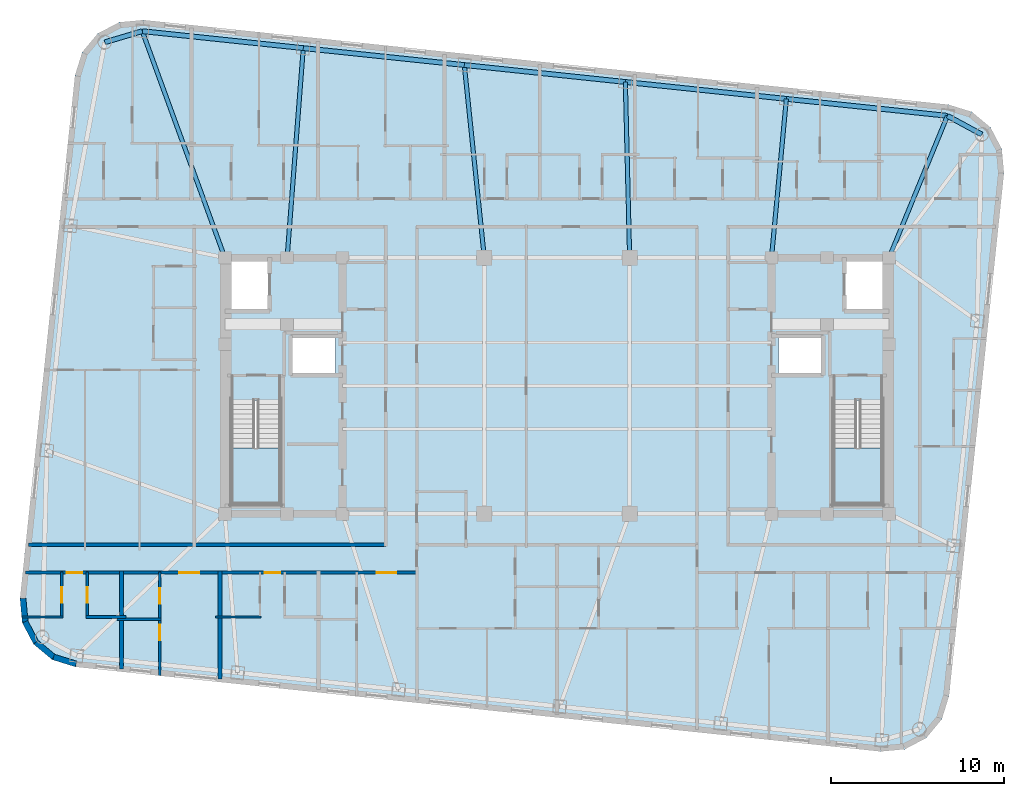
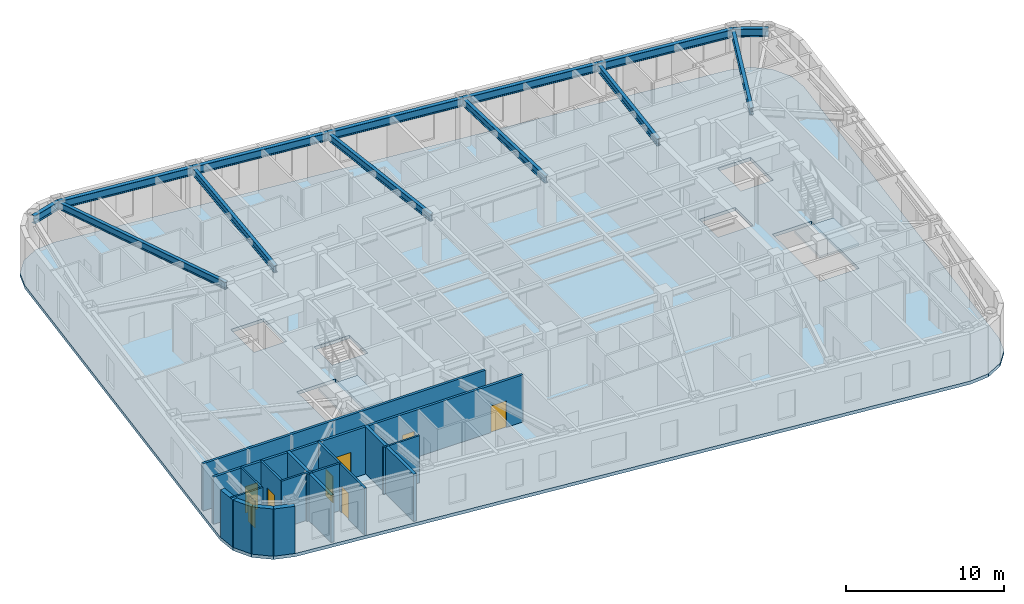
# One storey, part 2 of 11: 16 walls, 13 beams, 8 doors, 3 slabs, 8 openings, 2 elements without a shape of their own.
"""IFC4 building model written with IfcOpenShell, lengths in metres."""

from ifc_helpers import new_model, si_unit, direction, frame, frame_2d, origin, origin_2d, place, context, subcontext, project, spatial, polyline, rectangle, i_section, outline, extrude, material, layer, layer_set, material_profile, profile_set, type_object, element, fill, aggregate, save


model = new_model("IFC4")

# Units and contexts
model_context = context("Model", 3, precision=1e-05, world=origin(), true_north=direction((0.0, 1.0)))
body_context = subcontext(model_context, "Body", "Model", "MODEL_VIEW")
ifc_project = project(units=[si_unit("LENGTHUNIT", "METRE"), si_unit("AREAUNIT", "SQUARE_METRE"), si_unit("VOLUMEUNIT", "CUBIC_METRE"), si_unit("PLANEANGLEUNIT", "RADIAN"), si_unit("MASSUNIT", "GRAM", prefix="KILO")], contexts=[model_context])

# Site, building, storey
site_placement = place(None, origin())
site = spatial("IfcSite", under=ifc_project, at=site_placement, CompositionType="ELEMENT")
building_placement = place(site_placement, origin())
building = spatial("IfcBuilding", under=site, at=building_placement, Name="Voryun Gate Residences", CompositionType="ELEMENT")
storey_placement = place(building_placement, frame((0.0, 0.0, 283.39990234375)))
storey = spatial("IfcBuildingStorey", under=building, at=storey_placement, Name="L70", CompositionType="ELEMENT", Elevation=283.39990234375)

# Beams
ifc_material_1 = material(Name="Steel SM355", Category="steel")
ifc_material_profile_1 = material_profile(ifc_material_1, i_section(OverallWidth=0.280029296875, OverallDepth=0.6201171875, WebThickness=0.013916015625, FlangeThickness=0.02197265625, FilletRadius=0.01806640625, at=origin_2d()), Name="H-620x280x14x22")
ifc_profile_set_1 = profile_set([ifc_material_profile_1], Name="Steel SM355")
beam_type_1 = type_object("IfcBeamType", Name="BM_EXO_SPANDREL_H", PredefinedType="SPANDREL", material=ifc_profile_set_1)
beam_1_placement = place(storey_placement, frame((24.55322265625, 14.52734375, 3.340087890625), z_axis=(-0.878844363117, 0.477108567746, 0.0), x_axis=(-0.477108567746, -0.878844363117, 0.0)))
element("IfcBeam", 1, at=beam_1_placement, inside=storey, type_object=beam_type_1, Name="BM-L70-SPAND-10", PredefinedType="SPANDREL", context=body_context, shape_type="SweptSolid", body=[
    extrude(i_section(OverallWidth=0.280029296875, OverallDepth=0.6201171875, WebThickness=0.013916015625, FlangeThickness=0.02197265625, FilletRadius=0.01806640625, at=origin_2d()), origin(), (0.0, 0.0, 1.0), 2.257568359375),
])
beam_2_placement = place(storey_placement, frame((22.569091796875, 15.6044921875, 3.340087890625), z_axis=(-0.994520592114, 0.104540862157, 0.0), x_axis=(-0.104540862157, -0.994520592114, 0.0)))
element("IfcBeam", 2, at=beam_2_placement, inside=storey, type_object=beam_type_1, Name="BM-L70-SPAND-11", PredefinedType="SPANDREL", context=body_context, shape_type="SweptSolid", body=[
    extrude(i_section(OverallWidth=0.280029296875, OverallDepth=0.6201171875, WebThickness=0.013916015625, FlangeThickness=0.02197265625, FilletRadius=0.01806640625, at=origin_2d()), origin(), (0.0, 0.0, 1.0), 9.360107421875),
])
beam_3_placement = place(storey_placement, frame((13.26025390625, 16.5830078125, 3.340087890625), z_axis=(-0.994523018663, 0.104517775278, 0.0), x_axis=(-0.104517775278, -0.994523018663, 0.0)))
element("IfcBeam", 3, at=beam_3_placement, inside=storey, type_object=beam_type_1, Name="BM-L70-SPAND-12", PredefinedType="SPANDREL", context=body_context, shape_type="SweptSolid", body=[
    extrude(i_section(OverallWidth=0.280029296875, OverallDepth=0.6201171875, WebThickness=0.013916015625, FlangeThickness=0.02197265625, FilletRadius=0.01806640625, at=origin_2d()), origin(), (0.0, 0.0, 1.0), 9.35986328125),
])
for number, where, z_axis, x_axis, name in (
    (4, (3.95166015625, 17.561279296875, 3.340087890625), (-0.994520592114, 0.104540862157, 0.0), (-0.104540862157, -0.994520592114, 0.0), "BM-L70-SPAND-13"),
    (5, (-5.357177734375, 18.539794921875, 3.340087890625), (-0.994523303591, 0.104515064059, 0.0), (-0.104515064059, -0.994523303591, 0.0), "BM-L70-SPAND-14"),
):
    element("IfcBeam", number, at=place(storey_placement, frame(where, z_axis=z_axis, x_axis=x_axis)), inside=storey, type_object=beam_type_1, Name=name, PredefinedType="SPANDREL", context=body_context, shape_type="SweptSolid", body=[
        extrude(i_section(OverallWidth=0.280029296875, OverallDepth=0.6201171875, WebThickness=0.013916015625, FlangeThickness=0.02197265625, FilletRadius=0.01806640625, at=origin_2d()), origin(), (0.0, 0.0, 1.0), 9.360107421875),
    ])
beam_4_placement = place(storey_placement, frame((-14.666015625, 19.51806640625, 3.340087890625), z_axis=(-0.994520307047, 0.104543574031, 0.0), x_axis=(-0.104543574031, -0.994520307047, 0.0)))
element("IfcBeam", 6, at=beam_4_placement, inside=storey, type_object=beam_type_1, Name="BM-L70-SPAND-15", PredefinedType="SPANDREL", context=body_context, shape_type="SweptSolid", body=[
    extrude(i_section(OverallWidth=0.280029296875, OverallDepth=0.6201171875, WebThickness=0.013916015625, FlangeThickness=0.02197265625, FilletRadius=0.01806640625, at=origin_2d()), origin(), (0.0, 0.0, 1.0), 9.35986328125),
])
beam_5_placement = place(storey_placement, frame((-23.974609375, 20.49658203125, 3.340087890625), z_axis=(-0.958805748412, -0.28406255792, 0.0), x_axis=(0.28406255792, -0.958805748412, 0.0)))
element("IfcBeam", 7, at=beam_5_placement, inside=storey, type_object=beam_type_1, Name="BM-L70-SPAND-16", PredefinedType="SPANDREL", context=body_context, shape_type="SweptSolid", body=[
    extrude(i_section(OverallWidth=0.280029296875, OverallDepth=0.6201171875, WebThickness=0.013916015625, FlangeThickness=0.02197265625, FilletRadius=0.01806640625, at=origin_2d()), origin(), (0.0, 0.0, 1.0), 2.2578125),
])
ifc_material_2 = material(Name="Steel SM355", Category="steel")
ifc_material_profile_2 = material_profile(ifc_material_2, i_section(OverallWidth=0.239990234375, OverallDepth=0.550048828125, WebThickness=0.011962890625, FlangeThickness=0.02001953125, FilletRadius=0.01806640625, at=origin_2d()), Name="H-550x240x12x20")
ifc_profile_set_2 = profile_set([ifc_material_profile_2], Name="Steel SM355")
beam_type_2 = type_object("IfcBeamType", Name="BM_GIRD_550", PredefinedType="USERDEFINED", material=ifc_profile_set_2)
beam_6_placement = place(storey_placement, frame((19.199951171875, 7.39990234375, 3.375), z_axis=(0.379860811741, 0.925043655026, 0.0), x_axis=(-0.925043655026, 0.379860811741, 0.0)))
element("IfcBeam", 8, at=beam_6_placement, inside=storey, type_object=beam_type_2, Name="BM-L70-RAD-N1", ObjectType="GIRDER", PredefinedType="USERDEFINED", context=body_context, shape_type="SweptSolid", body=[
    extrude(i_section(OverallWidth=0.239990234375, OverallDepth=0.550048828125, WebThickness=0.011962890625, FlangeThickness=0.02001953125, FilletRadius=0.01806640625, at=origin_2d()), origin(), (0.0, 0.0, 1.0), 8.869384765625),
])
beam_7_placement = place(storey_placement, frame((12.39990234375, 7.39990234375, 3.375), z_axis=(0.093280030115, 0.995639912811, 0.0), x_axis=(-0.995639912811, 0.093280030115, 0.0)))
element("IfcBeam", 9, at=beam_7_placement, inside=storey, type_object=beam_type_2, Name="BM-L70-RAD-N2", ObjectType="GIRDER", PredefinedType="USERDEFINED", context=body_context, shape_type="SweptSolid", body=[
    extrude(i_section(OverallWidth=0.239990234375, OverallDepth=0.550048828125, WebThickness=0.011962890625, FlangeThickness=0.02001953125, FilletRadius=0.01806640625, at=origin_2d()), origin(), (0.0, 0.0, 1.0), 9.223388671875),
])
beam_8_placement = place(storey_placement, frame((4.199951171875, 7.39990234375, 3.375), z_axis=(-0.024427489288, 0.999701604364, 0.0), x_axis=(-0.999701604364, -0.024427489288, 0.0)))
element("IfcBeam", 10, at=beam_8_placement, inside=storey, type_object=beam_type_2, Name="BM-L70-RAD-N3", ObjectType="GIRDER", PredefinedType="USERDEFINED", context=body_context, shape_type="SweptSolid", body=[
    extrude(i_section(OverallWidth=0.239990234375, OverallDepth=0.550048828125, WebThickness=0.011962890625, FlangeThickness=0.02001953125, FilletRadius=0.01806640625, at=origin_2d()), origin(), (0.0, 0.0, 1.0), 10.164306640625),
])
beam_9_placement = place(storey_placement, frame((-4.199951171875, 7.39990234375, 3.375), z_axis=(-0.103325291149, 0.994647618109, 0.0), x_axis=(-0.994647618109, -0.103325291149, 0.0)))
element("IfcBeam", 11, at=beam_9_placement, inside=storey, type_object=beam_type_2, Name="BM-L70-RAD-N4", ObjectType="GIRDER", PredefinedType="USERDEFINED", context=body_context, shape_type="SweptSolid", body=[
    extrude(i_section(OverallWidth=0.239990234375, OverallDepth=0.550048828125, WebThickness=0.011962890625, FlangeThickness=0.02001953125, FilletRadius=0.01806640625, at=origin_2d()), origin(), (0.0, 0.0, 1.0), 11.199951171875),
])
beam_10_placement = place(storey_placement, frame((-15.60009765625, 7.39990234375, 3.375), z_axis=(0.07685317718, 0.997042420942, 0.0), x_axis=(-0.997042420942, 0.07685317718, 0.0)))
element("IfcBeam", 12, at=beam_10_placement, inside=storey, type_object=beam_type_2, Name="BM-L70-RAD-N5", ObjectType="GIRDER", PredefinedType="USERDEFINED", context=body_context, shape_type="SweptSolid", body=[
    extrude(i_section(OverallWidth=0.239990234375, OverallDepth=0.550048828125, WebThickness=0.011962890625, FlangeThickness=0.02001953125, FilletRadius=0.01806640625, at=origin_2d()), origin(), (0.0, 0.0, 1.0), 12.154052734375),
])
beam_11_placement = place(storey_placement, frame((-19.199951171875, 7.39990234375, 3.375), z_axis=(-0.342517773666, 0.939511348906, 0.0), x_axis=(-0.939511348906, -0.342517773666, 0.0)))
element("IfcBeam", 13, at=beam_11_placement, inside=storey, type_object=beam_type_2, Name="BM-L70-RAD-N6", ObjectType="GIRDER", PredefinedType="USERDEFINED", context=body_context, shape_type="SweptSolid", body=[
    extrude(i_section(OverallWidth=0.239990234375, OverallDepth=0.550048828125, WebThickness=0.011962890625, FlangeThickness=0.02001953125, FilletRadius=0.01806640625, at=origin_2d()), origin(), (0.0, 0.0, 1.0), 13.93994140625),
])

# Slab
ifc_material_3 = material(Name="Concrete C40/50", Category="concrete")
ifc_layer_1 = layer(ifc_material_3, 0.25, Name="SLB_RES_250")
ifc_layer_set_1 = layer_set([ifc_layer_1], Name="Concrete C40/50")
slab_type_1 = type_object("IfcSlabType", Name="SLB_RES_250", PredefinedType="FLOOR", material=ifc_layer_set_1)
slab_1_placement = place(storey_placement, frame((0.0, 0.0, -0.25)))
element("IfcSlab", 14, at=slab_1_placement, inside=storey, type_object=slab_type_1, Name="L70 Structural Floor Slab", PredefinedType="FLOOR", context=body_context, shape_type="SweptSolid", body=[
    extrude(outline(polyline([(-27.8369140625, -16.2509765625), (-29.178466796875, -15.83447265625), (-30.25830078125, -14.936279296875), (-30.912353515625, -13.693115234375), (-31.041015625, -12.29443359375), (-27.86328125, 17.93896484375), (-27.44677734375, 19.280517578125), (-26.548583984375, 20.3603515625), (-25.305419921875, 21.014404296875), (-23.90673828125, 21.14306640625), (22.636962890625, 16.2509765625), (23.978515625, 15.83447265625), (25.058349609375, 14.936279296875), (25.71240234375, 13.693115234375), (25.8408203125, 12.29443359375), (22.663330078125, -17.93896484375), (22.246826171875, -19.280517578125), (21.3486328125, -20.3603515625), (20.10546875, -21.014404296875), (18.706787109375, -21.14306640625), (-27.8369140625, -16.2509765625)]), holes=[polyline([(-15.97509765625, -0.840087890625), (-18.824951171875, -0.840087890625), (-18.824951171875, -6.85009765625), (-15.97509765625, -6.85009765625), (-15.97509765625, -0.840087890625)]), polyline([(18.824951171875, -6.85009765625), (18.824951171875, -0.840087890625), (15.97509765625, -0.840087890625), (15.97509765625, -6.85009765625), (18.824951171875, -6.85009765625)]), polyline([(-12.800048828125, 2.89990234375), (-15.39990234375, 2.89990234375), (-15.39990234375, 0.60009765625), (-12.800048828125, 0.60009765625), (-12.800048828125, 2.89990234375)]), polyline([(12.800048828125, 2.89990234375), (12.800048828125, 0.60009765625), (15.39990234375, 0.60009765625), (15.39990234375, 2.89990234375), (12.800048828125, 2.89990234375)]), polyline([(-16.60009765625, 7.199951171875), (-19.0, 7.199951171875), (-19.0, 4.300048828125), (-16.60009765625, 4.300048828125), (-16.60009765625, 7.199951171875)]), polyline([(19.0, 7.199951171875), (16.60009765625, 7.199951171875), (16.60009765625, 4.300048828125), (19.0, 4.300048828125), (19.0, 7.199951171875)])]), origin(), (0.0, 0.0, 1.0), 0.25),
])

# Stair, slab
ifc_material_4 = material(Name="Concrete C40/50", Category="concrete")
stair_type = type_object("IfcStairType", Name="STR_CORE_DOGLEG_1350", PredefinedType="HALF_TURN_STAIR", material=ifc_material_4)
stair_1_placement = place(storey_placement, origin())
stair_1 = element("IfcStair", 15, at=stair_1_placement, inside=storey, type_object=stair_type, Name="L70 Special Escape Stair ST-W1", PredefinedType="HALF_TURN_STAIR")
ifc_material_5 = material(Name="Concrete C40/50", Category="concrete")
ifc_layer_2 = layer(ifc_material_5, 0.199951171875, Name="SLB_STAIR_LANDING_200")
ifc_layer_set_2 = layer_set([ifc_layer_2], Name="Concrete C40/50")
slab_type_2 = type_object("IfcSlabType", Name="SLB_STAIR_LANDING_200", PredefinedType="LANDING", material=ifc_layer_set_2)
slab_2_placement = place(storey_placement, frame((0.0, 0.0, 1.75)))
slab_2 = element("IfcSlab", 16, at=slab_2_placement, type_object=slab_type_2, Name="ST-W1 landing 1", PredefinedType="LANDING", context=body_context, shape_type="SweptSolid", body=[
    extrude(outline(polyline([(-18.824951171875, -3.60009765625), (-18.824951171875, -6.85009765625), (-15.97509765625, -6.85009765625), (-15.97509765625, -3.60009765625), (-18.824951171875, -3.60009765625)])), origin(), (0.0, 0.0, 1.0), 0.2001953125),
])
aggregate(stair_1, [slab_2])

stair_2_placement = place(storey_placement, origin())
stair_2 = element("IfcStair", 17, at=stair_2_placement, inside=storey, type_object=stair_type, Name="L70 Special Escape Stair ST-E1", PredefinedType="HALF_TURN_STAIR")
slab_3_placement = place(storey_placement, frame((0.0, 0.0, 1.75)))
slab_3 = element("IfcSlab", 18, at=slab_3_placement, type_object=slab_type_2, Name="ST-E1 landing 1", PredefinedType="LANDING", context=body_context, shape_type="SweptSolid", body=[
    extrude(outline(polyline([(15.97509765625, -3.60009765625), (15.97509765625, -6.85009765625), (18.824951171875, -6.85009765625), (18.824951171875, -3.60009765625), (15.97509765625, -3.60009765625)])), origin(), (0.0, 0.0, 1.0), 0.2001953125),
])
aggregate(stair_2, [slab_3])

# Wall
ifc_material_6 = material(Name="Gypsum acoustic fireboard")
ifc_layer_3 = layer(ifc_material_6, 0.179931640625, Name="W_CORR_RATED_180")
ifc_layer_set_3 = layer_set([ifc_layer_3], Name="Gypsum acoustic fireboard")
wall_type_1 = type_object("IfcWallType", Name="W_CORR_RATED_180", PredefinedType="PARTITIONING", material=ifc_layer_set_3)
wall_1_placement = place(storey_placement, frame((-30.543701171875, -9.18994140625, 0.0), z_axis=(0.0, 0.0, 1.0), x_axis=(1.0, 0.0, 0.0)))
element("IfcWall", 19, at=wall_1_placement, inside=storey, type_object=wall_type_1, Name="Partition wall WP-L70-CWING-WS", PredefinedType="PARTITIONING", context=body_context, shape_type="SweptSolid", body=[
    extrude(rectangle(XDim=20.663818359375, YDim=0.179931640625, at=frame_2d((10.33203125, 0.0))), origin(), (0.0, 0.0, 1.0), 3.650146484375),
])

# Wall, openings, doors
wall_2_placement = place(storey_placement, frame((-30.712890625, -10.800048828125, 0.0), z_axis=(0.0, 0.0, 1.0), x_axis=(1.0, 0.0, 0.0)))
wall_2 = element("IfcWall", 20, at=wall_2_placement, inside=storey, type_object=wall_type_1, Name="Partition wall WP-L70-SCORR-W", PredefinedType="PARTITIONING", context=body_context, shape_type="SweptSolid", body=[
    extrude(rectangle(XDim=22.6328125, YDim=0.179931640625, at=frame_2d((11.31640625, 0.0))), origin(), (0.0, 0.0, 1.0), 3.650146484375),
])
opening_1_placement = place(wall_2_placement, frame((2.372314453125, 0.0, 0.0)))
opening_1 = element("IfcOpeningElement", 21, at=opening_1_placement, cuts=wall_2, Name="Opening D-INT-2", PredefinedType="OPENING", context=body_context, shape_type="SweptSolid", body=[
    extrude(rectangle(XDim=0.89990234375, YDim=2.050048828125, at=frame_2d((0.449951171875, 1.02490234375))), frame((0.0, 0.099853515625, 0.0), z_axis=(0.0, -1.0, 0.0), x_axis=(1.0, 0.0, 0.0)), (0.0, 0.0, 1.0), 0.199951171875),
])
opening_2_placement = place(wall_2_placement, frame((8.885498046875, 0.0, 0.0)))
opening_2 = element("IfcOpeningElement", 22, at=opening_2_placement, cuts=wall_2, Name="Opening D-UNIT-1", PredefinedType="OPENING", context=body_context, shape_type="SweptSolid", body=[
    extrude(rectangle(XDim=1.14990234375, YDim=2.050048828125, at=frame_2d((0.574951171875, 1.02490234375))), frame((0.0, 0.099853515625, 0.0), z_axis=(0.0, -1.0, 0.0), x_axis=(1.0, 0.0, 0.0)), (0.0, 0.0, 1.0), 0.199951171875),
])
opening_3_placement = place(wall_2_placement, frame((13.81103515625, 0.0, 0.0)))
opening_3 = element("IfcOpeningElement", 23, at=opening_3_placement, cuts=wall_2, Name="Opening D-INT-2", PredefinedType="OPENING", context=body_context, shape_type="SweptSolid", body=[
    extrude(rectangle(XDim=0.89990234375, YDim=2.050048828125, at=frame_2d((0.449951171875, 1.02490234375))), frame((0.0, 0.099853515625, 0.0), z_axis=(0.0, -1.0, 0.0), x_axis=(1.0, 0.0, 0.0)), (0.0, 0.0, 1.0), 0.199951171875),
])
opening_4_placement = place(wall_2_placement, frame((20.283447265625, 0.0, 0.0)))
opening_4 = element("IfcOpeningElement", 24, at=opening_4_placement, cuts=wall_2, Name="Opening D-UNIT-1", PredefinedType="OPENING", context=body_context, shape_type="SweptSolid", body=[
    extrude(rectangle(XDim=1.14990234375, YDim=2.050048828125, at=frame_2d((0.574951171875, 1.02490234375))), frame((0.0, 0.099853515625, 0.0), z_axis=(0.0, -1.0, 0.0), x_axis=(1.0, 0.0, 0.0)), (0.0, 0.0, 1.0), 0.199951171875),
])
ifc_material_7 = material(Name="Architectural oak veneer")
door_type_1 = type_object("IfcDoorType", Name="DR_INT_BATH_900", OperationType="NOTDEFINED", PredefinedType="DOOR", material=ifc_material_7)
door_1_placement = place(opening_1_placement, origin())
door_1 = element("IfcDoor", 25, at=door_1_placement, inside=storey, type_object=door_type_1, Name="Door DR-L70-SENT-1", OperationType="SINGLE_SWING_RIGHT", OverallHeight=2.050048828125, OverallWidth=0.89990234375, PredefinedType="DOOR", context=body_context, shape_type="SweptSolid", body=[
    extrude(rectangle(XDim=0.89990234375, YDim=2.050048828125, at=frame_2d((0.449951171875, 1.02490234375))), frame((0.0, 0.02490234375, 0.0), z_axis=(0.0, -1.0, 0.0), x_axis=(1.0, 0.0, 0.0)), (0.0, 0.0, 1.0), 0.050048828125),
])
fill(opening_1, door_1)
door_2_placement = place(opening_3_placement, origin())
door_2 = element("IfcDoor", 26, at=door_2_placement, inside=storey, type_object=door_type_1, Name="Door DR-L70-SENT-3", OperationType="SINGLE_SWING_RIGHT", OverallHeight=2.050048828125, OverallWidth=0.89990234375, PredefinedType="DOOR", context=body_context, shape_type="SweptSolid", body=[
    extrude(rectangle(XDim=0.89990234375, YDim=2.050048828125, at=frame_2d((0.449951171875, 1.02490234375))), frame((0.0, 0.02490234375, 0.0), z_axis=(0.0, -1.0, 0.0), x_axis=(1.0, 0.0, 0.0)), (0.0, 0.0, 1.0), 0.050048828125),
])
fill(opening_3, door_2)
ifc_material_8 = material(Name="Armoured timber-clad fire door", Category="wood")
door_type_2 = type_object("IfcDoorType", Name="DR_UNIT_ENTRY_1150", OperationType="NOTDEFINED", PredefinedType="DOOR", material=ifc_material_8)
door_3_placement = place(opening_2_placement, origin())
door_3 = element("IfcDoor", 27, at=door_3_placement, inside=storey, type_object=door_type_2, Name="Door DR-L70-SENT-2", OperationType="SINGLE_SWING_LEFT", OverallHeight=2.050048828125, OverallWidth=1.14990234375, PredefinedType="DOOR", context=body_context, shape_type="SweptSolid", body=[
    extrude(rectangle(XDim=1.14990234375, YDim=2.050048828125, at=frame_2d((0.574951171875, 1.02490234375))), frame((0.0, 0.02490234375, 0.0), z_axis=(0.0, -1.0, 0.0), x_axis=(1.0, 0.0, 0.0)), (0.0, 0.0, 1.0), 0.050048828125),
])
fill(opening_2, door_3)
door_4_placement = place(opening_4_placement, origin())
door_4 = element("IfcDoor", 28, at=door_4_placement, inside=storey, type_object=door_type_2, Name="Door DR-L70-SENT-4", OperationType="SINGLE_SWING_LEFT", OverallHeight=2.050048828125, OverallWidth=1.14990234375, PredefinedType="DOOR", context=body_context, shape_type="SweptSolid", body=[
    extrude(rectangle(XDim=1.14990234375, YDim=2.050048828125, at=frame_2d((0.574951171875, 1.02490234375))), frame((0.0, 0.02490234375, 0.0), z_axis=(0.0, -1.0, 0.0), x_axis=(1.0, 0.0, 0.0)), (0.0, 0.0, 1.0), 0.050048828125),
])
fill(opening_4, door_4)

# Walls
ifc_material_9 = material(Name="Charcoal terracotta masonry", Category="masonry")
ifc_layer_4 = layer(ifc_material_9, 0.340087890625, Name="W_EXT_TERRACOTTA_340")
ifc_layer_set_4 = layer_set([ifc_layer_4], Name="Charcoal terracotta masonry")
wall_type_2 = type_object("IfcWallType", Name="W_EXT_TERRACOTTA_340", PredefinedType="ELEMENTEDWALL", material=ifc_layer_set_4)
wall_3_placement = place(storey_placement, frame((-27.802490234375, -16.083740234375, 0.0), z_axis=(0.0, 0.0, 1.0), x_axis=(-0.955007802701, 0.296580674994, 0.0)))
element("IfcWall", 29, at=wall_3_placement, inside=storey, type_object=wall_type_2, Name="Exterior wall WEXT-L70-02", PredefinedType="ELEMENTEDWALL", context=body_context, shape_type="SweptSolid", body=[
    extrude(rectangle(XDim=1.354248046875, YDim=0.340087890625, at=frame_2d((0.67724609375, 0.0))), origin(), (0.0, 0.0, 1.0), 3.650146484375),
])
wall_4_placement = place(storey_placement, frame((-29.095703125, -15.68212890625, 0.0), z_axis=(0.0, 0.0, 1.0), x_axis=(-0.768864427906, 0.639411832469, 0.0)))
element("IfcWall", 30, at=wall_4_placement, inside=storey, type_object=wall_type_2, Name="Exterior wall WEXT-L70-03", PredefinedType="ELEMENTEDWALL", context=body_context, shape_type="SweptSolid", body=[
    extrude(rectangle(XDim=1.337158203125, YDim=0.340087890625, at=frame_2d((0.66845703125, 0.0))), origin(), (0.0, 0.0, 1.0), 3.650146484375),
])
wall_5_placement = place(storey_placement, frame((-30.123779296875, -14.8271484375, 0.0), z_axis=(0.0, 0.0, 1.0), x_axis=(-0.465528132217, 0.885033083062, 0.0)))
element("IfcWall", 31, at=wall_5_placement, inside=storey, type_object=wall_type_2, Name="Exterior wall WEXT-L70-04", PredefinedType="ELEMENTEDWALL", context=body_context, shape_type="SweptSolid", body=[
    extrude(rectangle(XDim=1.3369140625, YDim=0.340087890625, at=frame_2d((0.66845703125, 0.0))), origin(), (0.0, 0.0, 1.0), 3.650146484375),
])
wall_6_placement = place(storey_placement, frame((-30.74609375, -13.64404296875, 0.0), z_axis=(0.0, 0.0, 1.0), x_axis=(-0.091592370975, 0.995796584438, 0.0)))
element("IfcWall", 32, at=wall_6_placement, inside=storey, type_object=wall_type_2, Name="Exterior wall WEXT-L70-05", PredefinedType="ELEMENTEDWALL", context=body_context, shape_type="SweptSolid", body=[
    extrude(rectangle(XDim=1.35400390625, YDim=0.340087890625, at=frame_2d((0.677001953125, 0.0))), origin(), (0.0, 0.0, 1.0), 3.650146484375),
])
ifc_material_10 = material(Name="Concrete C40/50", Category="concrete")
ifc_layer_5 = layer(ifc_material_10, 0.219970703125, Name="W_PARTY_ACOUSTIC_220")
ifc_layer_set_5 = layer_set([ifc_layer_5], Name="Concrete C40/50")
wall_type_3 = type_object("IfcWallType", Name="W_PARTY_ACOUSTIC_220", PredefinedType="PARTITIONING", material=ifc_layer_set_5)
wall_7_placement = place(storey_placement, frame((-25.177978515625, -16.359619140625, 0.0), z_axis=(0.0, 0.0, 1.0), x_axis=(0.0, 1.0, 0.0)))
element("IfcWall", 33, at=wall_7_placement, inside=storey, type_object=wall_type_3, Name="Partition wall WP-L70-SPTY-1", PredefinedType="PARTITIONING", context=body_context, shape_type="SweptSolid", body=[
    extrude(rectangle(XDim=5.6396484375, YDim=0.219970703125, at=frame_2d((2.81982421875, 0.0))), origin(), (0.0, 0.0, 1.0), 3.650146484375),
])
wall_8_placement = place(storey_placement, frame((-19.47802734375, -16.958740234375, 0.0), z_axis=(0.0, 0.0, 1.0), x_axis=(0.0, 1.0, 0.0)))
element("IfcWall", 34, at=wall_8_placement, inside=storey, type_object=wall_type_3, Name="Partition wall WP-L70-SPTY-2", PredefinedType="PARTITIONING", context=body_context, shape_type="SweptSolid", body=[
    extrude(rectangle(XDim=6.23876953125, YDim=0.219970703125, at=frame_2d((3.119384765625, 0.0))), origin(), (0.0, 0.0, 1.0), 3.650146484375),
])

# Wall, opening, door
ifc_material_11 = material(Name="Gypsum acoustic partition")
ifc_layer_6 = layer(ifc_material_11, 0.125, Name="W_UNIT_PART_125")
ifc_layer_set_6 = layer_set([ifc_layer_6], Name="Gypsum acoustic partition")
wall_type_4 = type_object("IfcWallType", Name="W_UNIT_PART_125", PredefinedType="PARTITIONING", material=ifc_layer_set_6)
wall_9_placement = place(storey_placement, frame((-28.626953125, -13.429931640625, 0.0), z_axis=(0.0, 0.0, 1.0), x_axis=(0.0, 1.0, 0.0)))
wall_9 = element("IfcWall", 35, at=wall_9_placement, inside=storey, type_object=wall_type_4, Name="Partition wall WP-L70-S1-CVK", PredefinedType="PARTITIONING", context=body_context, shape_type="SweptSolid", body=[
    extrude(rectangle(XDim=2.64990234375, YDim=0.125, at=frame_2d((1.324951171875, 0.0))), origin(), (0.0, 0.0, 1.0), 3.650146484375),
])
opening_5_placement = place(wall_9_placement, frame((0.875, 0.0, 0.0)))
opening_5 = element("IfcOpeningElement", 36, at=opening_5_placement, cuts=wall_9, Name="Opening D-INT-2", PredefinedType="OPENING", context=body_context, shape_type="SweptSolid", body=[
    extrude(rectangle(XDim=0.89990234375, YDim=2.050048828125, at=frame_2d((0.449951171875, 1.02490234375))), frame((0.0, 0.072509765625, 0.0), z_axis=(0.0, -1.0, 0.0), x_axis=(1.0, 0.0, 0.0)), (0.0, 0.0, 1.0), 0.14501953125),
])
door_5_placement = place(opening_5_placement, origin())
door_5 = element("IfcDoor", 37, at=door_5_placement, inside=storey, type_object=door_type_1, Name="Door DR-L70-S1-DK", OperationType="SINGLE_SWING_LEFT", OverallHeight=2.050048828125, OverallWidth=0.89990234375, PredefinedType="DOOR", context=body_context, shape_type="SweptSolid", body=[
    extrude(rectangle(XDim=0.89990234375, YDim=2.050048828125, at=frame_2d((0.449951171875, 1.02490234375))), frame((0.0, 0.02490234375, 0.0), z_axis=(0.0, -1.0, 0.0), x_axis=(1.0, 0.0, 0.0)), (0.0, 0.0, 1.0), 0.050048828125),
])
fill(opening_5, door_5)

# Walls
wall_10_placement = place(storey_placement, frame((-30.922119140625, -13.3701171875, 0.0), z_axis=(0.0, 0.0, 1.0), x_axis=(1.0, 0.0, 0.0)))
element("IfcWall", 38, at=wall_10_placement, inside=storey, type_object=wall_type_4, Name="Partition wall WP-L70-S1-CHK", PredefinedType="PARTITIONING", context=body_context, shape_type="SweptSolid", body=[
    extrude(rectangle(XDim=2.355224609375, YDim=0.125, at=frame_2d((1.177734375, 0.0))), origin(), (0.0, 0.0, 1.0), 3.650146484375),
])
wall_11_placement = place(storey_placement, frame((-19.738037109375, -13.3701171875, 0.0), z_axis=(0.0, 0.0, 1.0), x_axis=(1.0, 0.0, 0.0)))
element("IfcWall", 39, at=wall_11_placement, inside=storey, type_object=wall_type_4, Name="Partition wall WP-L70-S3-CHK", PredefinedType="PARTITIONING", context=body_context, shape_type="SweptSolid", body=[
    extrude(rectangle(XDim=2.630126953125, YDim=0.125, at=frame_2d((1.31494140625, 0.0))), origin(), (0.0, 0.0, 1.0), 3.650146484375),
])

# Wall, opening, door
ifc_material_12 = material(Name="Gypsum moisture-resistant partition")
ifc_layer_7 = layer(ifc_material_12, 0.14990234375, Name="W_WET_PLUMB_150")
ifc_layer_set_7 = layer_set([ifc_layer_7], Name="Gypsum moisture-resistant partition")
wall_type_5 = type_object("IfcWallType", Name="W_WET_PLUMB_150", PredefinedType="PLUMBINGWALL", material=ifc_layer_set_7)
wall_12_placement = place(storey_placement, frame((-27.155029296875, -13.429931640625, 0.0), z_axis=(0.0, 0.0, 1.0), x_axis=(0.0, 1.0, 0.0)))
wall_12 = element("IfcWall", 40, at=wall_12_placement, inside=storey, type_object=wall_type_5, Name="Partition wall WP-L70-S1-CVB", PredefinedType="PLUMBINGWALL", context=body_context, shape_type="SweptSolid", body=[
    extrude(rectangle(XDim=2.64990234375, YDim=0.14990234375, at=frame_2d((1.324951171875, 0.0))), origin(), (0.0, 0.0, 1.0), 3.650146484375),
])
opening_6_placement = place(wall_12_placement, frame((0.875, 0.0, 0.0)))
opening_6 = element("IfcOpeningElement", 41, at=opening_6_placement, cuts=wall_12, Name="Opening D-INT-2", PredefinedType="OPENING", context=body_context, shape_type="SweptSolid", body=[
    extrude(rectangle(XDim=0.89990234375, YDim=2.050048828125, at=frame_2d((0.449951171875, 1.02490234375))), frame((0.0, 0.0849609375, 0.0), z_axis=(0.0, -1.0, 0.0), x_axis=(1.0, 0.0, 0.0)), (0.0, 0.0, 1.0), 0.169921875),
])
door_6_placement = place(opening_6_placement, origin())
door_6 = element("IfcDoor", 42, at=door_6_placement, inside=storey, type_object=door_type_1, Name="Door DR-L70-S1-DB", OperationType="SINGLE_SWING_RIGHT", OverallHeight=2.050048828125, OverallWidth=0.89990234375, PredefinedType="DOOR", context=body_context, shape_type="SweptSolid", body=[
    extrude(rectangle(XDim=0.89990234375, YDim=2.050048828125, at=frame_2d((0.449951171875, 1.02490234375))), frame((0.0, 0.02490234375, 0.0), z_axis=(0.0, -1.0, 0.0), x_axis=(1.0, 0.0, 0.0)), (0.0, 0.0, 1.0), 0.050048828125),
])
fill(opening_6, door_6)

# Walls
wall_13_placement = place(storey_placement, frame((-27.215087890625, -13.3701171875, 0.0), z_axis=(0.0, 0.0, 1.0), x_axis=(1.0, 0.0, 0.0)))
element("IfcWall", 43, at=wall_13_placement, inside=storey, type_object=wall_type_5, Name="Partition wall WP-L70-S1-CHB", PredefinedType="PLUMBINGWALL", context=body_context, shape_type="SweptSolid", body=[
    extrude(rectangle(XDim=2.297119140625, YDim=0.14990234375, at=frame_2d((1.1484375, 0.0))), origin(), (0.0, 0.0, 1.0), 3.650146484375),
])
wall_14_placement = place(storey_placement, frame((-25.43798828125, -13.5, 0.0), z_axis=(0.0, 0.0, 1.0), x_axis=(1.0, 0.0, 0.0)))
element("IfcWall", 44, at=wall_14_placement, inside=storey, type_object=wall_type_5, Name="Partition wall WP-L70-S2-SKB", PredefinedType="PLUMBINGWALL", context=body_context, shape_type="SweptSolid", body=[
    extrude(rectangle(XDim=2.550048828125, YDim=0.14990234375, at=frame_2d((1.27490234375, 0.0))), origin(), (0.0, 0.0, 1.0), 3.650146484375),
])

# Wall, opening, door
wall_15_placement = place(storey_placement, frame((-22.968017578125, -16.74267578125, 0.0), z_axis=(0.0, 0.0, 1.0), x_axis=(0.0, 1.0, 0.0)))
wall_15 = element("IfcWall", 45, at=wall_15_placement, inside=storey, type_object=wall_type_5, Name="Partition wall WP-L70-S2-SVT1", PredefinedType="PLUMBINGWALL", context=body_context, shape_type="SweptSolid", body=[
    extrude(rectangle(XDim=3.28271484375, YDim=0.14990234375, at=frame_2d((1.641357421875, 0.0))), origin(), (0.0, 0.0, 1.0), 3.650146484375),
])
opening_7_placement = place(wall_15_placement, frame((2.021728515625, 0.0, 0.0)))
opening_7 = element("IfcOpeningElement", 46, at=opening_7_placement, cuts=wall_15, Name="Opening D-INT-2", PredefinedType="OPENING", context=body_context, shape_type="SweptSolid", body=[
    extrude(rectangle(XDim=0.89990234375, YDim=2.050048828125, at=frame_2d((0.449951171875, 1.02490234375))), frame((0.0, 0.0849609375, 0.0), z_axis=(0.0, -1.0, 0.0), x_axis=(1.0, 0.0, 0.0)), (0.0, 0.0, 1.0), 0.169921875),
])
door_7_placement = place(opening_7_placement, origin())
door_7 = element("IfcDoor", 47, at=door_7_placement, inside=storey, type_object=door_type_1, Name="Door DR-L70-S2-DK", OperationType="SINGLE_SWING_LEFT", OverallHeight=2.050048828125, OverallWidth=0.89990234375, PredefinedType="DOOR", context=body_context, shape_type="SweptSolid", body=[
    extrude(rectangle(XDim=0.89990234375, YDim=2.050048828125, at=frame_2d((0.449951171875, 1.02490234375))), frame((0.0, 0.02490234375, 0.0), z_axis=(0.0, -1.0, 0.0), x_axis=(1.0, 0.0, 0.0)), (0.0, 0.0, 1.0), 0.050048828125),
])
fill(opening_7, door_7)

wall_16_placement = place(storey_placement, frame((-22.968017578125, -13.5400390625, 0.0), z_axis=(0.0, 0.0, 1.0), x_axis=(0.0, 1.0, 0.0)))
wall_16 = element("IfcWall", 48, at=wall_16_placement, inside=storey, type_object=wall_type_5, Name="Partition wall WP-L70-S2-SVT2", PredefinedType="PLUMBINGWALL", context=body_context, shape_type="SweptSolid", body=[
    extrude(rectangle(XDim=2.760009765625, YDim=0.14990234375, at=frame_2d((1.3798828125, 0.0))), origin(), (0.0, 0.0, 1.0), 3.650146484375),
])
opening_8_placement = place(wall_16_placement, frame((0.929931640625, 0.0, 0.0)))
opening_8 = element("IfcOpeningElement", 49, at=opening_8_placement, cuts=wall_16, Name="Opening D-INT-2", PredefinedType="OPENING", context=body_context, shape_type="SweptSolid", body=[
    extrude(rectangle(XDim=0.89990234375, YDim=2.050048828125, at=frame_2d((0.449951171875, 1.02490234375))), frame((0.0, 0.0849609375, 0.0), z_axis=(0.0, -1.0, 0.0), x_axis=(1.0, 0.0, 0.0)), (0.0, 0.0, 1.0), 0.169921875),
])
door_8_placement = place(opening_8_placement, origin())
door_8 = element("IfcDoor", 50, at=door_8_placement, inside=storey, type_object=door_type_1, Name="Door DR-L70-S2-DB", OperationType="SINGLE_SWING_RIGHT", OverallHeight=2.050048828125, OverallWidth=0.89990234375, PredefinedType="DOOR", context=body_context, shape_type="SweptSolid", body=[
    extrude(rectangle(XDim=0.89990234375, YDim=2.050048828125, at=frame_2d((0.449951171875, 1.02490234375))), frame((0.0, 0.02490234375, 0.0), z_axis=(0.0, -1.0, 0.0), x_axis=(1.0, 0.0, 0.0)), (0.0, 0.0, 1.0), 0.050048828125),
])
fill(opening_8, door_8)

save(model, "model.ifc")
